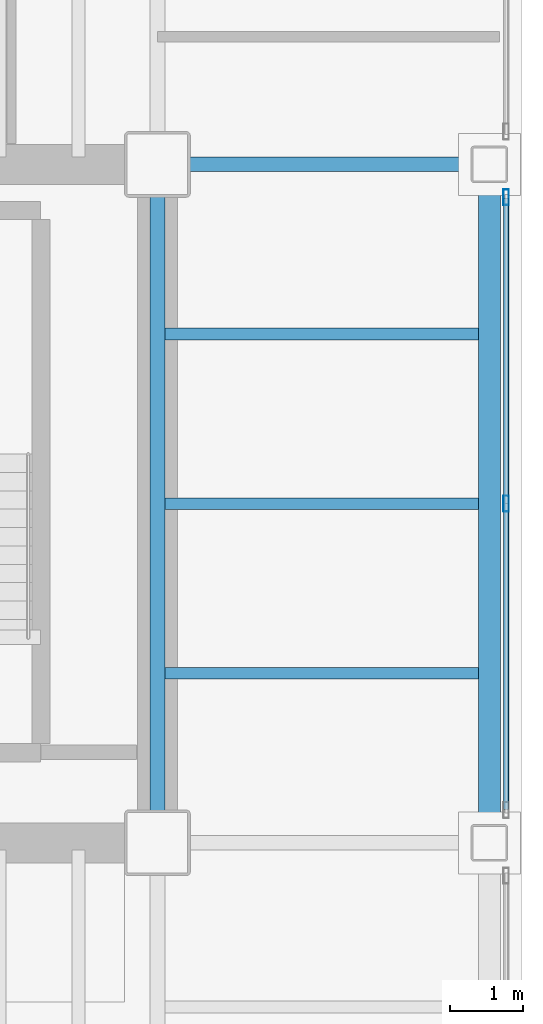
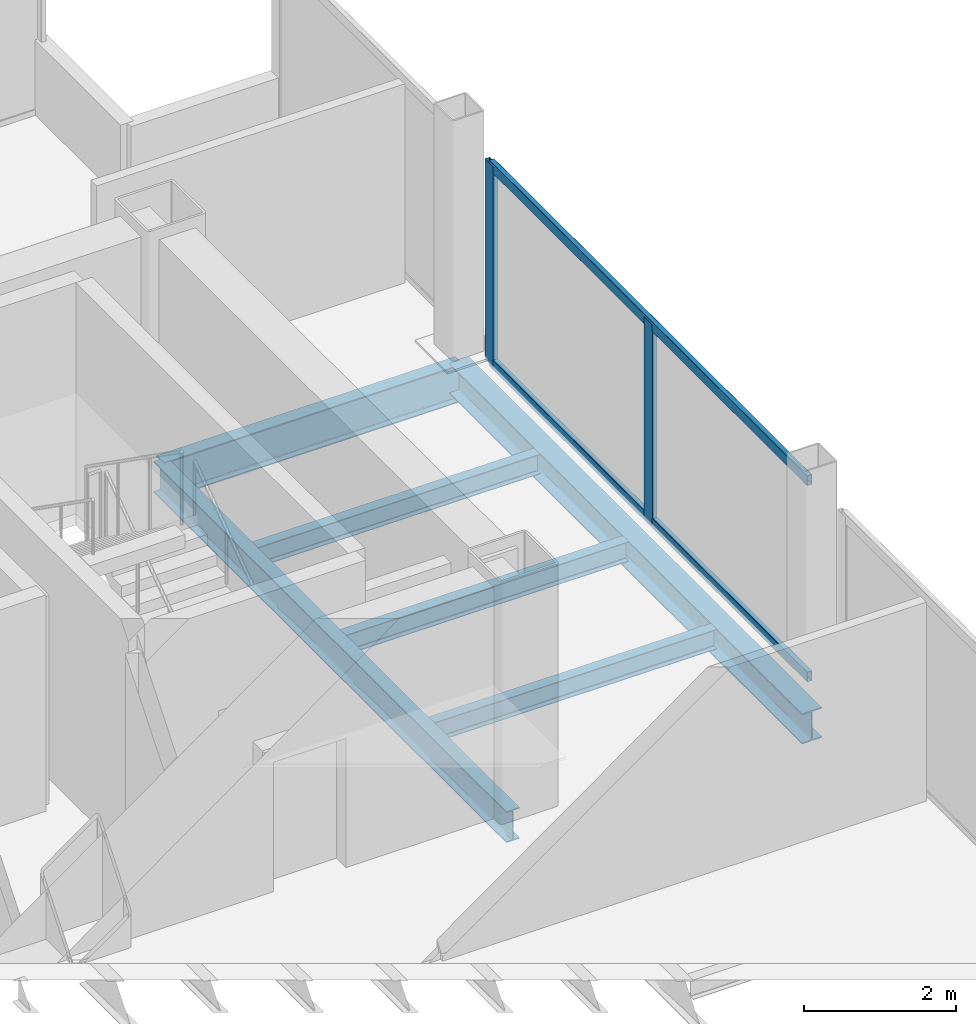
# One storey, part 13 of 19: 6 beams, 4 members, 1 element without a shape of its own.
"""IFC4 building model written with IfcOpenShell, lengths in metres."""

from ifc_helpers import new_model, si_unit, direction, frame, origin, origin_2d, place, context, subcontext, project, spatial, hollow_rectangle, i_section, extrude, material, material_profile, profile_set, type_object, element, aggregate, save


model = new_model("IFC4")

# Units and contexts
model_context = context("Model", 3, precision=1e-05, world=origin(), true_north=direction((0.0, 1.0)))
body_context = subcontext(model_context, "Body", "Model", "MODEL_VIEW")
ifc_project = project(units=[si_unit("LENGTHUNIT", "METRE"), si_unit("AREAUNIT", "SQUARE_METRE"), si_unit("VOLUMEUNIT", "CUBIC_METRE"), si_unit("PLANEANGLEUNIT", "RADIAN"), si_unit("MASSUNIT", "GRAM", prefix="KILO")], contexts=[model_context])

# Site, building, storey
site_placement = place(None, origin())
site = spatial("IfcSite", under=ifc_project, at=site_placement, CompositionType="ELEMENT")
building_placement = place(site_placement, origin())
building = spatial("IfcBuilding", under=site, at=building_placement, Name="Noeulbin Bourse Tower", CompositionType="ELEMENT")
storey_placement = place(building_placement, frame((0.0, 0.0, 153.89990234375)))
storey = spatial("IfcBuildingStorey", under=building, at=storey_placement, Name="L38", CompositionType="ELEMENT", Elevation=153.89990234375)

# Beams
ifc_material_1 = material(Name="Steel S355", Category="steel")
ifc_material_profile_1 = material_profile(ifc_material_1, i_section(OverallWidth=0.199951171875, OverallDepth=0.5, WebThickness=0.010009765625, FlangeThickness=0.01611328125, FilletRadius=0.02001953125, at=origin_2d()), Name="H-500x200x10x16", Category="LoadBearing")
ifc_profile_set_1 = profile_set([ifc_material_profile_1], Name="Steel S355")
beam_type_1 = type_object("IfcBeamType", Name="BM-GRD-500", PredefinedType="USERDEFINED", material=ifc_profile_set_1)
beam_1_placement = place(storey_placement, frame((44.0, 29.0, -0.429931640625), z_axis=(0.0, 1.0, 0.0), x_axis=(-1.0, 0.0, 0.0)))
element("IfcBeam", 1, at=beam_1_placement, inside=storey, type_object=beam_type_1, Name="Tower Primary Girder NS L38-5.3", ObjectType="GIRDER", PredefinedType="USERDEFINED", context=body_context, shape_type="SweptSolid", body=[
    extrude(i_section(OverallWidth=0.199951171875, OverallDepth=0.5, WebThickness=0.010009765625, FlangeThickness=0.01611328125, FilletRadius=0.02001953125, at=origin_2d()), origin(), (0.0, 0.0, 1.0), 9.300048828125),
])
ifc_material_profile_2 = material_profile(ifc_material_1, i_section(OverallWidth=0.199951171875, OverallDepth=0.60009765625, WebThickness=0.010986328125, FlangeThickness=0.01708984375, FilletRadius=0.02197265625, at=origin_2d()), Name="H-600x200x11x17", Category="LoadBearing")
ifc_profile_set_2 = profile_set([ifc_material_profile_2], Name="Steel S355")
beam_type_2 = type_object("IfcBeamType", Name="BM-GRD-600", PredefinedType="USERDEFINED", material=ifc_profile_set_2)
beam_2_placement = place(storey_placement, frame((44.0, 38.300048828125, -0.47998046875), z_axis=(1.0, 0.0, 0.0), x_axis=(0.0, 1.0, 0.0)))
element("IfcBeam", 2, at=beam_2_placement, inside=storey, type_object=beam_type_2, Name="Tower Primary Girder EW L38-3.5", ObjectType="GIRDER", PredefinedType="USERDEFINED", context=body_context, shape_type="SweptSolid", body=[
    extrude(i_section(OverallWidth=0.199951171875, OverallDepth=0.60009765625, WebThickness=0.010986328125, FlangeThickness=0.01708984375, FilletRadius=0.02197265625, at=origin_2d()), origin(), (0.0, 0.0, 1.0), 4.550048828125),
])
ifc_material_profile_3 = material_profile(ifc_material_1, i_section(OverallWidth=0.159912109375, OverallDepth=0.320068359375, WebThickness=0.006591796875, FlangeThickness=0.010009765625, FilletRadius=0.012939453125, at=origin_2d()), Name="H-320x160x6.5x10", Category="LoadBearing")
ifc_profile_set_3 = profile_set([ifc_material_profile_3], Name="Steel S355")
beam_type_3 = type_object("IfcBeamType", Name="BM-JST-320", PredefinedType="JOIST", material=ifc_profile_set_3)
for number, where, z_axis, x_axis, name in (
    (3, (44.10009765625, 31.324951171875, -0.33984375), (1.0, 0.0, 0.0), (0.0, 1.0, 0.0), "Wing Composite Joist L38-E76"),
    (4, (44.10009765625, 33.64990234375, -0.33984375), (1.0, 0.0, 0.0), (0.0, 1.0, 0.0), "Wing Composite Joist L38-E77"),
    (5, (44.10009765625, 35.97509765625, -0.33984375), (1.0, 0.0, 0.0), (0.0, 1.0, 0.0), "Wing Composite Joist L38-E78"),
):
    element("IfcBeam", number, at=place(storey_placement, frame(where, z_axis=z_axis, x_axis=x_axis)), inside=storey, type_object=beam_type_3, Name=name, PredefinedType="JOIST", context=body_context, shape_type="SweptSolid", body=[
        extrude(i_section(OverallWidth=0.159912109375, OverallDepth=0.320068359375, WebThickness=0.006591796875, FlangeThickness=0.010009765625, FilletRadius=0.012939453125, at=origin_2d()), origin(), (0.0, 0.0, 1.0), 4.2998046875),
    ])
ifc_material_profile_4 = material_profile(ifc_material_1, i_section(OverallWidth=0.300048828125, OverallDepth=0.488037109375, WebThickness=0.010986328125, FlangeThickness=0.01806640625, FilletRadius=0.02197265625, at=origin_2d()), Name="H-488x300x11x18", Category="LoadBearing")
ifc_profile_set_4 = profile_set([ifc_material_profile_4], Name="Steel S355")
beam_type_4 = type_object("IfcBeamType", Name="BM-SPN-488", PredefinedType="SPANDREL", material=ifc_profile_set_4)
beam_3_placement = place(storey_placement, frame((48.550048828125, 29.0, -0.423828125), z_axis=(0.0, 1.0, 0.0), x_axis=(-1.0, 0.0, 0.0)))
element("IfcBeam", 6, at=beam_3_placement, inside=storey, type_object=beam_type_4, Name="East Spandrel L38-2", PredefinedType="SPANDREL", context=body_context, shape_type="SweptSolid", body=[
    extrude(i_section(OverallWidth=0.300048828125, OverallDepth=0.488037109375, WebThickness=0.010986328125, FlangeThickness=0.01806640625, FilletRadius=0.02197265625, at=origin_2d()), origin(), (0.0, 0.0, 1.0), 9.300048828125),
])

# Curtain wall, members
ifc_material_2 = material(Name="Dark Tinted Triple Glazing", Category="glass")
curtain_wall_type = type_object("IfcCurtainWallType", Name="CW-SYS-3", PredefinedType="NOTDEFINED", material=ifc_material_2)
curtain_wall_placement = place(storey_placement, origin())
curtain_wall = element("IfcCurtainWall", 7, at=curtain_wall_placement, inside=storey, type_object=curtain_wall_type, Name="Unitised Curtain Wall CW-L38-E-S2", PredefinedType="NOTDEFINED")
ifc_material_3 = material(Name="Anodised Aluminium 6063-T6", Category="aluminium")
ifc_material_profile_5 = material_profile(ifc_material_3, hollow_rectangle(XDim=0.074951171875, YDim=0.219970703125, WallThickness=0.0048828125, InnerFilletRadius=0.00244140625, OuterFilletRadius=0.0048828125, at=origin_2d()), Name="ALU-MULL-75x220x5", Category="LoadBearing")
ifc_profile_set_5 = profile_set([ifc_material_profile_5], Name="Anodised Aluminium 6063-T6")
member_type_1 = type_object("IfcMemberType", Name="CW-SYS-3-MUL", PredefinedType="MULLION", material=ifc_profile_set_5)
member_1_placement = place(storey_placement, frame((48.780029296875, 33.64990234375, -0.02001953125), z_axis=(0.0, 0.0, 1.0), x_axis=(1.0, 0.0, 0.0)))
member_1 = element("IfcMember", 8, at=member_1_placement, type_object=member_type_1, Name="Curtain Wall Mullion CW-L38-E-S2-M01", PredefinedType="MULLION", context=body_context, shape_type="SweptSolid", body=[
    extrude(hollow_rectangle(XDim=0.074951171875, YDim=0.219970703125, WallThickness=0.0048828125, InnerFilletRadius=0.00244140625, OuterFilletRadius=0.0048828125, at=origin_2d()), origin(), (0.0, 0.0, 1.0), 3.22021484375),
])
member_2_placement = place(storey_placement, frame((48.780029296875, 37.85009765625, -0.02001953125), z_axis=(0.0, 0.0, 1.0), x_axis=(1.0, 0.0, 0.0)))
member_2 = element("IfcMember", 9, at=member_2_placement, type_object=member_type_1, Name="Curtain Wall Mullion CW-L38-E-S2-M02", PredefinedType="MULLION", context=body_context, shape_type="SweptSolid", body=[
    extrude(hollow_rectangle(XDim=0.074951171875, YDim=0.219970703125, WallThickness=0.0048828125, InnerFilletRadius=0.00244140625, OuterFilletRadius=0.0048828125, at=origin_2d()), origin(), (0.0, 0.0, 1.0), 3.22021484375),
])
ifc_material_profile_6 = material_profile(ifc_material_3, hollow_rectangle(XDim=0.074951171875, YDim=0.159912109375, WallThickness=0.0048828125, InnerFilletRadius=0.00244140625, OuterFilletRadius=0.0048828125, at=origin_2d()), Name="ALU-TRAN-75x160x5", Category="LoadBearing")
ifc_profile_set_6 = profile_set([ifc_material_profile_6], Name="Anodised Aluminium 6063-T6")
member_type_2 = type_object("IfcMemberType", Name="CW-SYS-3-TRN", PredefinedType="USERDEFINED", material=ifc_profile_set_6)
member_3_placement = place(storey_placement, frame((48.780029296875, 29.4599609375, 0.010009765625), z_axis=(0.0, 1.0, 0.0), x_axis=(-1.0, 0.0, 0.0)))
member_3 = element("IfcMember", 10, at=member_3_placement, type_object=member_type_2, Name="Curtain Wall Transom CW-L38-E-S2-T00", ObjectType="TRANSOM", PredefinedType="USERDEFINED", context=body_context, shape_type="SweptSolid", body=[
    extrude(hollow_rectangle(XDim=0.074951171875, YDim=0.159912109375, WallThickness=0.0048828125, InnerFilletRadius=0.00244140625, OuterFilletRadius=0.0048828125, at=origin_2d()), origin(), (0.0, 0.0, 1.0), 8.380126953125),
])
member_4_placement = place(storey_placement, frame((48.780029296875, 29.4599609375, 3.170166015625), z_axis=(0.0, 1.0, 0.0), x_axis=(-1.0, 0.0, 0.0)))
member_4 = element("IfcMember", 11, at=member_4_placement, type_object=member_type_2, Name="Curtain Wall Transom CW-L38-E-S2-T01", ObjectType="TRANSOM", PredefinedType="USERDEFINED", context=body_context, shape_type="SweptSolid", body=[
    extrude(hollow_rectangle(XDim=0.074951171875, YDim=0.159912109375, WallThickness=0.0048828125, InnerFilletRadius=0.00244140625, OuterFilletRadius=0.0048828125, at=origin_2d()), origin(), (0.0, 0.0, 1.0), 8.380126953125),
])
aggregate(curtain_wall, [member_1, member_2, member_3, member_4])

save(model, "model.ifc")
